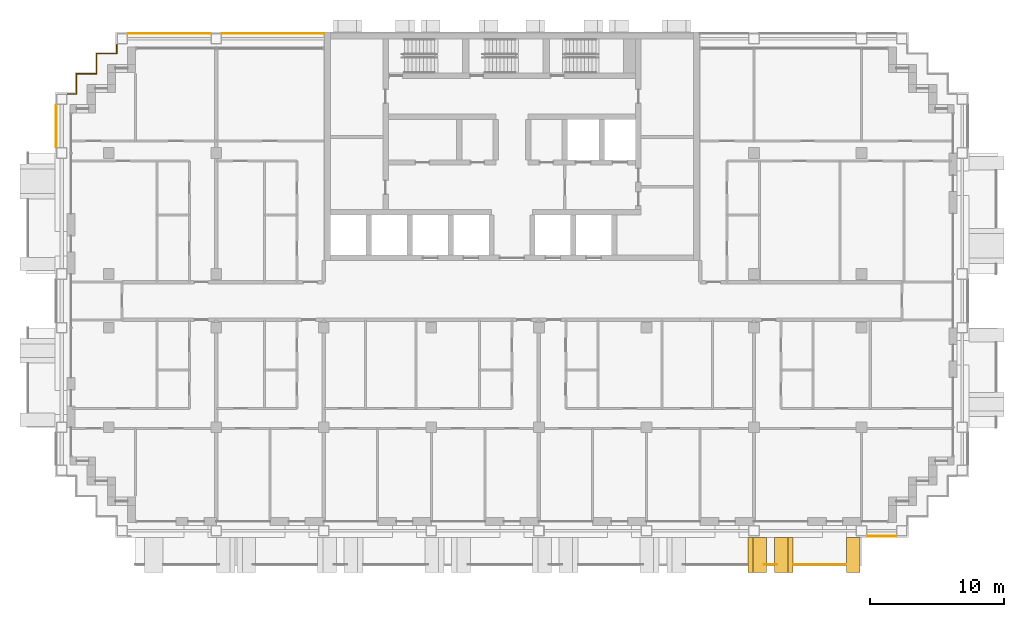
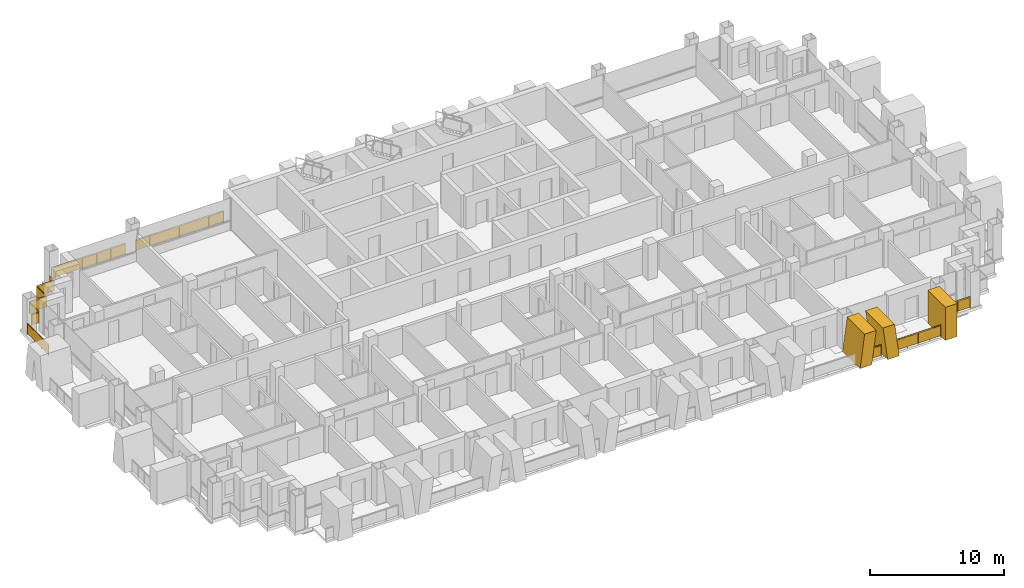
# One storey, part 16 of 18: 7 railings, 3 shading devices.
"""IFC4 building model written with IfcOpenShell, lengths in metres."""

from ifc_helpers import new_model, si_unit, direction, frame, origin, origin_2d, place, context, subcontext, project, spatial, polyline, rectangle, circle, outline, extrude, material, layer, layer_set, type_object, element, save


model = new_model("IFC4")

# Units and contexts
model_context = context("Model", 3, precision=1e-05, world=origin(), true_north=direction((0.0, 1.0)))
body_context = subcontext(model_context, "Body", "Model", "MODEL_VIEW")
ifc_project = project(units=[si_unit("LENGTHUNIT", "METRE"), si_unit("AREAUNIT", "SQUARE_METRE"), si_unit("VOLUMEUNIT", "CUBIC_METRE"), si_unit("PLANEANGLEUNIT", "RADIAN"), si_unit("MASSUNIT", "GRAM", prefix="KILO")], contexts=[model_context])

# Site, building, storey
site_placement = place(None, origin())
site = spatial("IfcSite", under=ifc_project, at=site_placement, CompositionType="ELEMENT")
building_placement = place(site_placement, origin())
building = spatial("IfcBuilding", under=site, at=building_placement, Name="Vidyagriha Tower", CompositionType="ELEMENT")
storey_placement = place(building_placement, frame((0.0, 0.0, 126.199951171875)))
storey = spatial("IfcBuildingStorey", under=building, at=storey_placement, Name="L32", CompositionType="ELEMENT", Elevation=126.199951171875)

# Railings
ifc_material_1 = material(Name="Steel ASTM A500 Grade C black painted", Category="steel")
railing_type_1 = type_object("IfcRailingType", Name="Balcony guard 1100", PredefinedType="BALUSTRADE", material=ifc_material_1)
railing_1_placement = place(storey_placement, frame((18.741455078125, -19.60009765625, 0.0)))
element("IfcRailing", 1, at=railing_1_placement, inside=storey, type_object=railing_type_1, Name="Balcony guard L32 R23.1-12", PredefinedType="BALUSTRADE", context=body_context, shape_type="SweptSolid", body=[
    extrude(circle(Radius=0.02490234375, at=origin_2d()), frame((0.0, 0.0, 1.0751953125), z_axis=(1.0, 0.0, 0.0), x_axis=(0.0, 1.0, 0.0)), (0.0, 0.0, 1.0), 0.967041015625),
    extrude(circle(Radius=0.02001953125, at=origin_2d()), origin(), (0.0, 0.0, 1.0), 1.050048828125),
    extrude(circle(Radius=0.02001953125, at=origin_2d()), frame((0.967041015625, 0.0, 0.0)), (0.0, 0.0, 1.0), 1.050048828125),
    extrude(rectangle(XDim=0.010009765625, YDim=0.900146484375, at=origin_2d()), frame((0.0, 0.0, 0.550048828125), z_axis=(1.0, 0.0, 0.0), x_axis=(0.0, 1.0, 0.0)), (0.0, 0.0, 1.0), 0.967041015625),
])
railing_2_placement = place(storey_placement, frame((20.9599609375, -19.60009765625, 0.0)))
element("IfcRailing", 2, at=railing_2_placement, inside=storey, type_object=railing_type_1, Name="Balcony guard L32 R23.1-13", PredefinedType="BALUSTRADE", context=body_context, shape_type="SweptSolid", body=[
    extrude(circle(Radius=0.02490234375, at=origin_2d()), frame((0.0, 0.0, 1.0751953125), z_axis=(1.0, 0.0, 0.0), x_axis=(0.0, 1.0, 0.0)), (0.0, 0.0, 1.0), 3.864990234375),
    extrude(circle(Radius=0.02001953125, at=origin_2d()), origin(), (0.0, 0.0, 1.0), 1.050048828125),
    extrude(circle(Radius=0.02001953125, at=origin_2d()), frame((0.96630859375, 0.0, 0.0)), (0.0, 0.0, 1.0), 1.050048828125),
    extrude(circle(Radius=0.02001953125, at=origin_2d()), frame((1.9326171875, 0.0, 0.0)), (0.0, 0.0, 1.0), 1.050048828125),
    extrude(circle(Radius=0.02001953125, at=origin_2d()), frame((2.898681640625, 0.0, 0.0)), (0.0, 0.0, 1.0), 1.050048828125),
    extrude(circle(Radius=0.02001953125, at=origin_2d()), frame((3.864990234375, 0.0, 0.0)), (0.0, 0.0, 1.0), 1.050048828125),
    extrude(rectangle(XDim=0.010009765625, YDim=0.900146484375, at=origin_2d()), frame((0.0, 0.0, 0.550048828125), z_axis=(1.0, 0.0, 0.0), x_axis=(0.0, 1.0, 0.0)), (0.0, 0.0, 1.0), 3.864990234375),
])

# Shading devices
ifc_material_2 = material(Name="Precast concrete C40/50 with buff brick facing", Category="concrete")
ifc_layer_1 = layer(ifc_material_2, 1.0)
ifc_layer_set_1 = layer_set([ifc_layer_1], Name="Precast concrete C40/50 with buff brick facing")
shading_device_type_1 = type_object("IfcShadingDeviceType", Name="Brick-faced blade fin arm leaning 8 degrees", PredefinedType="USERDEFINED", material=ifc_layer_set_1)
shading_device_1_placement = place(storey_placement, frame((17.5400390625, -18.89990234375, 0.0)))
element("IfcShadingDevice", 3, at=shading_device_1_placement, inside=storey, type_object=shading_device_type_1, Name="Leaning blade fin L32 R23.4600a", ObjectType="BLADE FIN", PredefinedType="USERDEFINED", context=body_context, shape_type="SweptSolid", body=[
    extrude(outline(polyline([(0.0, 0.0), (1.0, 0.0), (1.39501953125, 3.0), (0.39501953125, 3.0), (0.0, 0.0)])), frame((0.0, 1.300048828125, 0.0), z_axis=(0.0, -1.0, 0.0), x_axis=(1.0, 0.0, 0.0)), (0.0, 0.0, 1.0), 2.60009765625),
])
shading_device_2_placement = place(storey_placement, frame((19.514892578125, -18.89990234375, 0.0)))
element("IfcShadingDevice", 4, at=shading_device_2_placement, inside=storey, type_object=shading_device_type_1, Name="Leaning blade fin L32 R23.4600b", ObjectType="BLADE FIN", PredefinedType="USERDEFINED", context=body_context, shape_type="SweptSolid", body=[
    extrude(outline(polyline([(0.39501953125, 0.0), (1.39501953125, 0.0), (1.0, 3.0), (0.0, 3.0), (0.39501953125, 0.0)])), frame((0.0, 1.300048828125, 0.0), z_axis=(0.0, -1.0, 0.0), x_axis=(1.0, 0.0, 0.0)), (0.0, 0.0, 1.0), 2.60009765625),
])
ifc_material_3 = material(Name="Precast concrete C40/50 with buff brick facing", Category="concrete")
ifc_layer_2 = layer(ifc_material_3, 1.0)
ifc_layer_set_2 = layer_set([ifc_layer_2], Name="Precast concrete C40/50 with buff brick facing")
shading_device_type_2 = type_object("IfcShadingDeviceType", Name="Brick-faced blade fin stem 1000", PredefinedType="USERDEFINED", material=ifc_layer_set_2)
shading_device_3_placement = place(storey_placement, frame((24.875, -18.89990234375, 0.0)))
element("IfcShadingDevice", 5, at=shading_device_3_placement, inside=storey, type_object=shading_device_type_2, Name="Stem blade fin L32 R23.5400a", ObjectType="BLADE FIN", PredefinedType="USERDEFINED", context=body_context, shape_type="SweptSolid", body=[
    extrude(outline(polyline([(0.0, 0.0), (1.0, 0.0), (1.0, 3.0), (0.0, 3.0), (0.0, 0.0)])), frame((0.0, 1.300048828125, 0.0), z_axis=(0.0, -1.0, 0.0), x_axis=(1.0, 0.0, 0.0)), (0.0, 0.0, 1.0), 2.60009765625),
])

# Railings
ifc_material_4 = material(Name="Steel ASTM A500 Grade C black painted", Category="steel")
railing_type_2 = type_object("IfcRailingType", Name="Gallery guard 1100", PredefinedType="GUARDRAIL", material=ifc_material_4)
railing_3_placement = place(storey_placement, frame((-33.89990234375, 11.429931640625, 0.0)))
element("IfcRailing", 6, at=railing_3_placement, inside=storey, type_object=railing_type_2, Name="Gallery guard L32 3", PredefinedType="GUARDRAIL", context=body_context, shape_type="SweptSolid", body=[
    extrude(circle(Radius=0.02490234375, at=origin_2d()), frame((0.0, 0.0, 1.0751953125), z_axis=(0.0, 1.0, 0.0), x_axis=(-1.0, 0.0, 0.0)), (0.0, 0.0, 1.0), 3.14013671875),
    extrude(circle(Radius=0.02001953125, at=origin_2d()), origin(), (0.0, 0.0, 1.0), 1.050048828125),
    extrude(circle(Radius=0.02001953125, at=origin_2d()), frame((0.0, 1.046630859375, 0.0)), (0.0, 0.0, 1.0), 1.050048828125),
    extrude(circle(Radius=0.02001953125, at=origin_2d()), frame((0.0, 2.093505859375, 0.0)), (0.0, 0.0, 1.0), 1.050048828125),
    extrude(circle(Radius=0.02001953125, at=origin_2d()), frame((0.0, 3.14013671875, 0.0)), (0.0, 0.0, 1.0), 1.050048828125),
    extrude(rectangle(XDim=0.010009765625, YDim=0.900146484375, at=origin_2d()), frame((0.0, 0.0, 0.550048828125), z_axis=(0.0, 1.0, 0.0), x_axis=(-1.0, 0.0, 0.0)), (0.0, 0.0, 1.0), 3.14013671875),
])
railing_4_placement = place(storey_placement, frame((-33.070068359375, 15.39990234375, 0.0)))
element("IfcRailing", 7, at=railing_4_placement, inside=storey, type_object=railing_type_2, Name="Gallery guard L32 5", PredefinedType="GUARDRAIL", context=body_context, shape_type="SweptSolid", body=[
    extrude(circle(Radius=0.02490234375, at=origin_2d()), frame((0.0, 0.0, 1.0751953125), z_axis=(1.0, 0.0, 0.0), x_axis=(0.0, 1.0, 0.0)), (0.0, 0.0, 1.0), 0.670166015625),
    extrude(circle(Radius=0.02490234375, at=origin_2d()), frame((0.670166015625, 0.0, 1.0751953125), z_axis=(0.0, 1.0, 0.0), x_axis=(-1.0, 0.0, 0.0)), (0.0, 0.0, 1.0), 1.5),
    extrude(circle(Radius=0.02490234375, at=origin_2d()), frame((0.670166015625, 1.5, 1.0751953125), z_axis=(1.0, 0.0, 0.0), x_axis=(0.0, 1.0, 0.0)), (0.0, 0.0, 1.0), 1.5),
    extrude(circle(Radius=0.02490234375, at=origin_2d()), frame((2.170166015625, 1.5, 1.0751953125), z_axis=(0.0, 1.0, 0.0), x_axis=(-1.0, 0.0, 0.0)), (0.0, 0.0, 1.0), 1.5),
    extrude(circle(Radius=0.02490234375, at=origin_2d()), frame((2.170166015625, 3.0, 1.0751953125), z_axis=(1.0, 0.0, 0.0), x_axis=(0.0, 1.0, 0.0)), (0.0, 0.0, 1.0), 1.5),
    extrude(circle(Radius=0.02490234375, at=origin_2d()), frame((3.670166015625, 3.0, 1.0751953125), z_axis=(0.0, 1.0, 0.0), x_axis=(-1.0, 0.0, 0.0)), (0.0, 0.0, 1.0), 0.670166015625),
    extrude(circle(Radius=0.02001953125, at=origin_2d()), origin(), (0.0, 0.0, 1.0), 1.050048828125),
    extrude(circle(Radius=0.02001953125, at=origin_2d()), frame((0.670166015625, 0.0, 0.0)), (0.0, 0.0, 1.0), 1.050048828125),
    extrude(circle(Radius=0.02001953125, at=origin_2d()), frame((0.670166015625, 1.5, 0.0)), (0.0, 0.0, 1.0), 1.050048828125),
    extrude(circle(Radius=0.02001953125, at=origin_2d()), frame((2.170166015625, 1.5, 0.0)), (0.0, 0.0, 1.0), 1.050048828125),
    extrude(circle(Radius=0.02001953125, at=origin_2d()), frame((2.170166015625, 3.0, 0.0)), (0.0, 0.0, 1.0), 1.050048828125),
    extrude(circle(Radius=0.02001953125, at=origin_2d()), frame((3.670166015625, 3.0, 0.0)), (0.0, 0.0, 1.0), 1.050048828125),
    extrude(circle(Radius=0.02001953125, at=origin_2d()), frame((3.670166015625, 3.670166015625, 0.0)), (0.0, 0.0, 1.0), 1.050048828125),
    extrude(rectangle(XDim=0.010009765625, YDim=0.900146484375, at=origin_2d()), frame((0.0, 0.0, 0.550048828125), z_axis=(1.0, 0.0, 0.0), x_axis=(0.0, 1.0, 0.0)), (0.0, 0.0, 1.0), 0.670166015625),
    extrude(rectangle(XDim=0.010009765625, YDim=0.900146484375, at=origin_2d()), frame((0.670166015625, 0.0, 0.550048828125), z_axis=(0.0, 1.0, 0.0), x_axis=(-1.0, 0.0, 0.0)), (0.0, 0.0, 1.0), 1.5),
    extrude(rectangle(XDim=0.010009765625, YDim=0.900146484375, at=origin_2d()), frame((0.670166015625, 1.5, 0.550048828125), z_axis=(1.0, 0.0, 0.0), x_axis=(0.0, 1.0, 0.0)), (0.0, 0.0, 1.0), 1.5),
    extrude(rectangle(XDim=0.010009765625, YDim=0.900146484375, at=origin_2d()), frame((2.170166015625, 1.5, 0.550048828125), z_axis=(0.0, 1.0, 0.0), x_axis=(-1.0, 0.0, 0.0)), (0.0, 0.0, 1.0), 1.5),
    extrude(rectangle(XDim=0.010009765625, YDim=0.900146484375, at=origin_2d()), frame((2.170166015625, 3.0, 0.550048828125), z_axis=(1.0, 0.0, 0.0), x_axis=(0.0, 1.0, 0.0)), (0.0, 0.0, 1.0), 1.5),
    extrude(rectangle(XDim=0.010009765625, YDim=0.900146484375, at=origin_2d()), frame((3.670166015625, 3.0, 0.550048828125), z_axis=(0.0, 1.0, 0.0), x_axis=(-1.0, 0.0, 0.0)), (0.0, 0.0, 1.0), 0.670166015625),
])
railing_5_placement = place(storey_placement, frame((-28.570068359375, 19.89990234375, 0.0)))
element("IfcRailing", 8, at=railing_5_placement, inside=storey, type_object=railing_type_2, Name="Gallery guard L32 7", PredefinedType="GUARDRAIL", context=body_context, shape_type="SweptSolid", body=[
    extrude(circle(Radius=0.02490234375, at=origin_2d()), frame((0.0, 0.0, 1.0751953125), z_axis=(1.0, 0.0, 0.0), x_axis=(0.0, 1.0, 0.0)), (0.0, 0.0, 1.0), 6.14013671875),
    extrude(circle(Radius=0.02001953125, at=origin_2d()), origin(), (0.0, 0.0, 1.0), 1.050048828125),
    extrude(circle(Radius=0.02001953125, at=origin_2d()), frame((1.22802734375, 0.0, 0.0)), (0.0, 0.0, 1.0), 1.050048828125),
    extrude(circle(Radius=0.02001953125, at=origin_2d()), frame((2.4560546875, 0.0, 0.0)), (0.0, 0.0, 1.0), 1.050048828125),
    extrude(circle(Radius=0.02001953125, at=origin_2d()), frame((3.68408203125, 0.0, 0.0)), (0.0, 0.0, 1.0), 1.050048828125),
    extrude(circle(Radius=0.02001953125, at=origin_2d()), frame((4.912109375, 0.0, 0.0)), (0.0, 0.0, 1.0), 1.050048828125),
    extrude(circle(Radius=0.02001953125, at=origin_2d()), frame((6.14013671875, 0.0, 0.0)), (0.0, 0.0, 1.0), 1.050048828125),
    extrude(rectangle(XDim=0.010009765625, YDim=0.900146484375, at=origin_2d()), frame((0.0, 0.0, 0.550048828125), z_axis=(1.0, 0.0, 0.0), x_axis=(0.0, 1.0, 0.0)), (0.0, 0.0, 1.0), 6.14013671875),
])
railing_6_placement = place(storey_placement, frame((-21.570068359375, 19.89990234375, 0.0)))
element("IfcRailing", 9, at=railing_6_placement, inside=storey, type_object=railing_type_2, Name="Gallery guard L32 8", PredefinedType="GUARDRAIL", context=body_context, shape_type="SweptSolid", body=[
    extrude(circle(Radius=0.02490234375, at=origin_2d()), frame((0.0, 0.0, 1.0751953125), z_axis=(1.0, 0.0, 0.0), x_axis=(0.0, 1.0, 0.0)), (0.0, 0.0, 1.0), 7.590087890625),
    extrude(circle(Radius=0.02001953125, at=origin_2d()), origin(), (0.0, 0.0, 1.0), 1.050048828125),
    extrude(circle(Radius=0.02001953125, at=origin_2d()), frame((1.26513671875, 0.0, 0.0)), (0.0, 0.0, 1.0), 1.050048828125),
    extrude(circle(Radius=0.02001953125, at=origin_2d()), frame((2.530029296875, 0.0, 0.0)), (0.0, 0.0, 1.0), 1.050048828125),
    extrude(circle(Radius=0.02001953125, at=origin_2d()), frame((3.794921875, 0.0, 0.0)), (0.0, 0.0, 1.0), 1.050048828125),
    extrude(circle(Radius=0.02001953125, at=origin_2d()), frame((5.06005859375, 0.0, 0.0)), (0.0, 0.0, 1.0), 1.050048828125),
    extrude(circle(Radius=0.02001953125, at=origin_2d()), frame((6.3251953125, 0.0, 0.0)), (0.0, 0.0, 1.0), 1.050048828125),
    extrude(circle(Radius=0.02001953125, at=origin_2d()), frame((7.590087890625, 0.0, 0.0)), (0.0, 0.0, 1.0), 1.050048828125),
    extrude(rectangle(XDim=0.010009765625, YDim=0.900146484375, at=origin_2d()), frame((0.0, 0.0, 0.550048828125), z_axis=(1.0, 0.0, 0.0), x_axis=(0.0, 1.0, 0.0)), (0.0, 0.0, 1.0), 7.590087890625),
])
railing_7_placement = place(storey_placement, frame((28.570068359375, -17.5, 0.0)))
element("IfcRailing", 10, at=railing_7_placement, inside=storey, type_object=railing_type_2, Name="Gallery guard L32 11", PredefinedType="GUARDRAIL", context=body_context, shape_type="SweptSolid", body=[
    extrude(circle(Radius=0.02490234375, at=origin_2d()), frame((0.0, 0.0, 1.0751953125), z_axis=(-1.0, 0.0, 0.0), x_axis=(0.0, -1.0, 0.0)), (0.0, 0.0, 1.0), 2.14013671875),
    extrude(circle(Radius=0.02001953125, at=origin_2d()), origin(), (0.0, 0.0, 1.0), 1.050048828125),
    extrude(circle(Radius=0.02001953125, at=origin_2d()), frame((-1.070068359375, 0.0, 0.0)), (0.0, 0.0, 1.0), 1.050048828125),
    extrude(circle(Radius=0.02001953125, at=origin_2d()), frame((-2.14013671875, 0.0, 0.0)), (0.0, 0.0, 1.0), 1.050048828125),
    extrude(rectangle(XDim=0.010009765625, YDim=0.900146484375, at=origin_2d()), frame((0.0, 0.0, 0.550048828125), z_axis=(-1.0, 0.0, 0.0), x_axis=(0.0, -1.0, 0.0)), (0.0, 0.0, 1.0), 2.14013671875),
])

save(model, "model.ifc")
